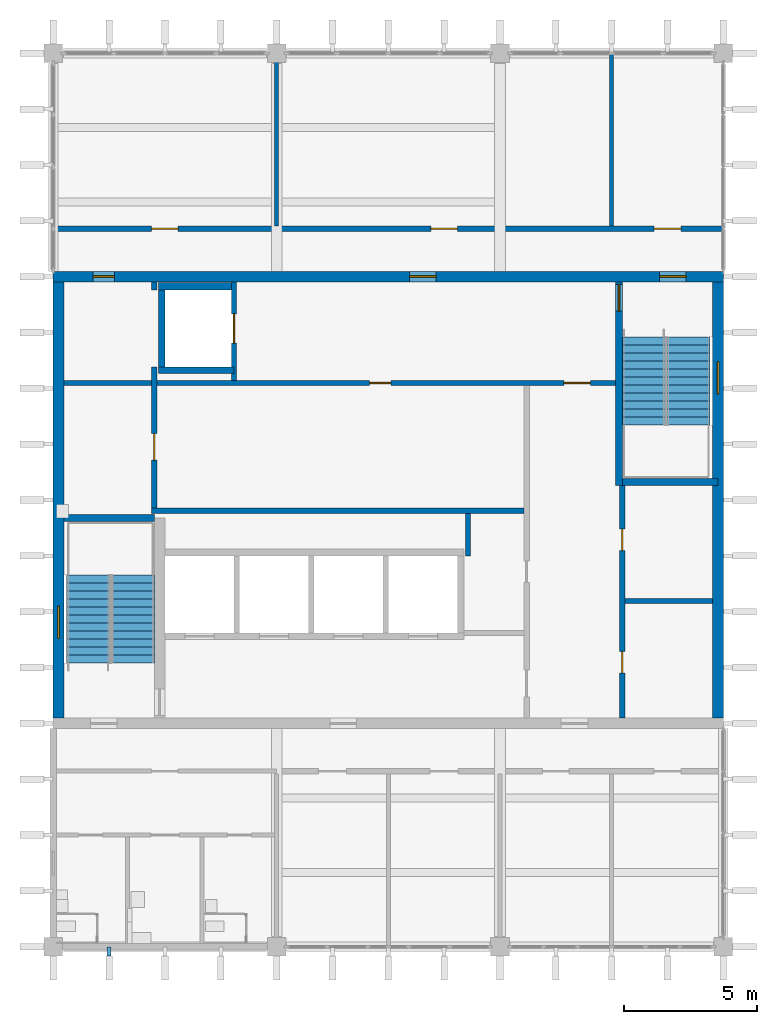
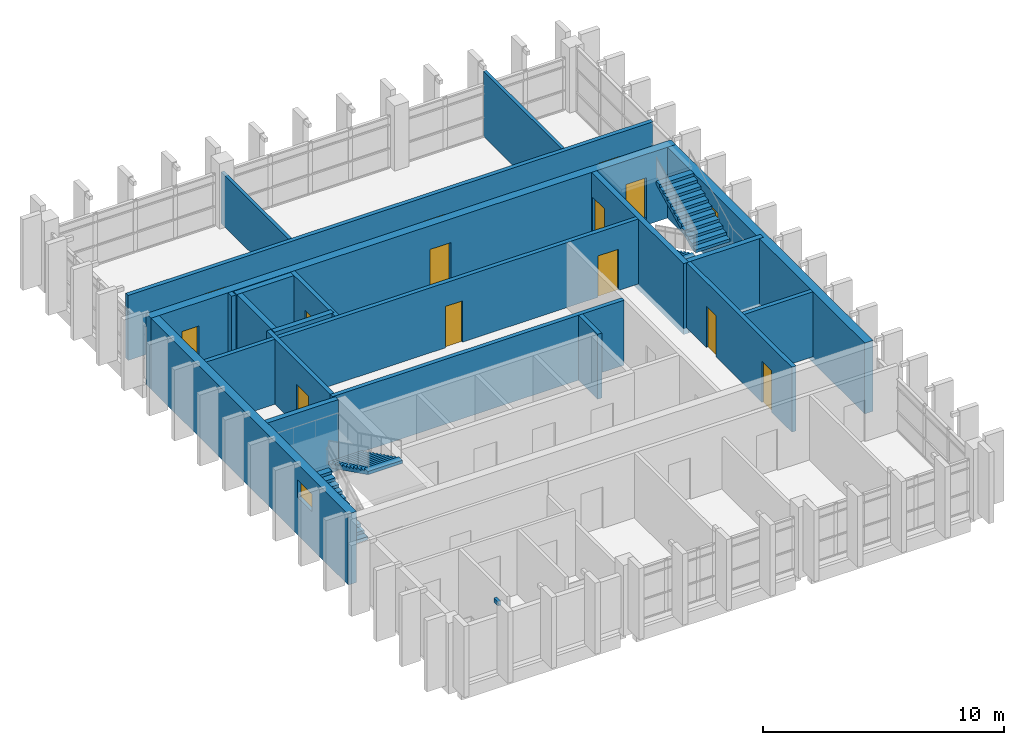
# One storey, part 8 of 11: 20 walls, 13 doors, 4 stair flights, 2 windows, 1 discrete accessory, 15 openings, 2 elements without a shape of their own.
"""IFC4 building model written with IfcOpenShell, lengths in metres."""

from ifc_helpers import new_model, si_unit, direction, frame, frame_2d, origin, origin_2d, place, context, subcontext, project, spatial, polyline, rectangle, outline, extrude, material, layer, layer_set, type_object, element, fill, aggregate, save


model = new_model("IFC4")

# Units and contexts
model_context = context("Model", 3, precision=1e-05, world=origin(), true_north=direction((0.0, 1.0)))
body_context = subcontext(model_context, "Body", "Model", "MODEL_VIEW")
ifc_project = project(units=[si_unit("LENGTHUNIT", "METRE"), si_unit("AREAUNIT", "SQUARE_METRE"), si_unit("VOLUMEUNIT", "CUBIC_METRE"), si_unit("PLANEANGLEUNIT", "RADIAN"), si_unit("MASSUNIT", "GRAM", prefix="KILO")], contexts=[model_context])

# Site, building, storey
site_placement = place(None, origin())
site = spatial("IfcSite", under=ifc_project, at=site_placement, CompositionType="ELEMENT")
building_placement = place(site_placement, origin())
building = spatial("IfcBuilding", under=site, at=building_placement, Name="Rulbaag Community and Learning Centre", CompositionType="ELEMENT")
storey_placement = place(building_placement, frame((0.0, 0.0, 50.39990234375)))
storey = spatial("IfcBuildingStorey", under=building, at=storey_placement, Name="L13", CompositionType="ELEMENT", Elevation=50.39990234375)

# Walls
ifc_material_1 = material(Name="Concrete blockwork", Category="masonry")
ifc_layer_1 = layer(ifc_material_1, 0.199951171875)
ifc_layer_set_1 = layer_set([ifc_layer_1], Name="FW-200 FIRE WALL 200")
wall_type_1 = type_object("IfcWallType", Name="FW-200 FIRE WALL 200", PredefinedType="SOLIDWALL", material=ifc_layer_set_1)
wall_1_placement = place(storey_placement, frame((164.300048828125, 97.0, 0.0), z_axis=(0.0, 0.0, 1.0), x_axis=(1.0, 0.0, 0.0)))
element("IfcWall", 1, at=wall_1_placement, inside=storey, type_object=wall_type_1, Name="Fire wall L13 6", PredefinedType="SOLIDWALL", context=body_context, shape_type="SweptSolid", body=[
    extrude(rectangle(XDim=3.300048828125, YDim=0.199951171875, at=frame_2d((1.64990234375, 0.0))), origin(), (0.0, 0.0, 1.0), 3.300048828125),
])
wall_2_placement = place(storey_placement, frame((146.5, 100.39990234375, 0.0), z_axis=(0.0, 0.0, 1.0), x_axis=(1.0, 0.0, 0.0)))
element("IfcWall", 2, at=wall_2_placement, inside=storey, type_object=wall_type_1, Name="Fire wall L13 8", PredefinedType="SOLIDWALL", context=body_context, shape_type="SweptSolid", body=[
    extrude(rectangle(XDim=14.0, YDim=0.199951171875, at=frame_2d((7.0, 0.0))), origin(), (0.0, 0.0, 1.0), 3.300048828125),
])

# Wall, openings, doors
wall_3_placement = place(storey_placement, frame((143.199951171875, 105.199951171875, 0.0), z_axis=(0.0, 0.0, 1.0), x_axis=(1.0, 0.0, 0.0)))
wall_3 = element("IfcWall", 3, at=wall_3_placement, inside=storey, type_object=wall_type_1, Name="Fire wall L13 9", PredefinedType="SOLIDWALL", context=body_context, shape_type="SweptSolid", body=[
    extrude(rectangle(XDim=20.75, YDim=0.199951171875, at=frame_2d((10.375, 0.0))), origin(), (0.0, 0.0, 1.0), 3.300048828125),
])
opening_1_placement = place(wall_3_placement, frame((11.5, 0.0, 0.0)))
opening_1 = element("IfcOpeningElement", 4, at=opening_1_placement, cuts=wall_3, Name="Opening L13-D018", PredefinedType="OPENING", context=body_context, shape_type="SweptSolid", body=[
    extrude(rectangle(XDim=0.800048828125, YDim=2.10009765625, at=frame_2d((0.39990234375, 1.050048828125))), frame((0.0, 0.10986328125, 0.0), z_axis=(0.0, -1.0, 0.0), x_axis=(1.0, 0.0, 0.0)), (0.0, 0.0, 1.0), 0.219970703125),
])
opening_2_placement = place(wall_3_placement, frame((18.800048828125, 0.0, 0.0)))
opening_2 = element("IfcOpeningElement", 5, at=opening_2_placement, cuts=wall_3, Name="Opening L13-D027", PredefinedType="OPENING", context=body_context, shape_type="SweptSolid", body=[
    extrude(rectangle(XDim=1.0, YDim=2.10009765625, at=frame_2d((0.5, 1.050048828125))), frame((0.0, 0.10986328125, 0.0), z_axis=(0.0, -1.0, 0.0), x_axis=(1.0, 0.0, 0.0)), (0.0, 0.0, 1.0), 0.219970703125),
])
ifc_material_2 = material(Name="Galvanised steel", Category="steel")
door_type_1 = type_object("IfcDoorType", Name="FD-1000 FIRE DOOR 1000 x 2100", OperationType="SINGLE_SWING_LEFT", PredefinedType="DOOR", material=ifc_material_2)
door_1_placement = place(opening_2_placement, origin())
door_1 = element("IfcDoor", 6, at=door_1_placement, inside=storey, type_object=door_type_1, Name="Door L13-D027", OperationType="SINGLE_SWING_LEFT", OverallHeight=2.10009765625, OverallWidth=1.0, PredefinedType="DOOR", context=body_context, shape_type="SweptSolid", body=[
    extrude(rectangle(XDim=1.0, YDim=2.10009765625, at=frame_2d((0.5, 1.050048828125))), frame((0.0, 0.02490234375, 0.0), z_axis=(0.0, -1.0, 0.0), x_axis=(1.0, 0.0, 0.0)), (0.0, 0.0, 1.0), 0.050048828125),
])
fill(opening_2, door_1)
door_type_2 = type_object("IfcDoorType", Name="FDR-800 RISER FIRE DOOR 800 x 2100", OperationType="SINGLE_SWING_LEFT", PredefinedType="DOOR", material=ifc_material_2)
door_2_placement = place(opening_1_placement, origin())
door_2 = element("IfcDoor", 7, at=door_2_placement, inside=storey, type_object=door_type_2, Name="Riser door L13-D023", OperationType="SINGLE_SWING_RIGHT", OverallHeight=2.10009765625, OverallWidth=0.800048828125, PredefinedType="DOOR", context=body_context, shape_type="SweptSolid", body=[
    extrude(rectangle(XDim=0.800048828125, YDim=2.10009765625, at=frame_2d((0.39990234375, 1.050048828125))), frame((0.0, 0.02490234375, 0.0), z_axis=(0.0, -1.0, 0.0), x_axis=(1.0, 0.0, 0.0)), (0.0, 0.0, 1.0), 0.050048828125),
])
fill(opening_1, door_2)

wall_4_placement = place(storey_placement, frame((142.800048828125, 111.0, 0.0), z_axis=(0.0, 0.0, 1.0), x_axis=(1.0, 0.0, 0.0)))
wall_4 = element("IfcWall", 8, at=wall_4_placement, inside=storey, type_object=wall_type_1, Name="Fire wall L13 10", PredefinedType="SOLIDWALL", context=body_context, shape_type="SweptSolid", body=[
    extrude(rectangle(XDim=25.199951171875, YDim=0.199951171875, at=frame_2d((12.60009765625, 0.0))), origin(), (0.0, 0.0, 1.0), 3.300048828125),
])
opening_3_placement = place(wall_4_placement, frame((3.699951171875, 0.0, 0.0)))
opening_3 = element("IfcOpeningElement", 9, at=opening_3_placement, cuts=wall_4, Name="Opening L13-D009", PredefinedType="OPENING", context=body_context, shape_type="SweptSolid", body=[
    extrude(rectangle(XDim=1.0, YDim=2.10009765625, at=frame_2d((0.5, 1.050048828125))), frame((0.0, 0.10986328125, 0.0), z_axis=(0.0, -1.0, 0.0), x_axis=(1.0, 0.0, 0.0)), (0.0, 0.0, 1.0), 0.219970703125),
])
opening_4_placement = place(wall_4_placement, frame((14.199951171875, 0.0, 0.0)))
opening_4 = element("IfcOpeningElement", 10, at=opening_4_placement, cuts=wall_4, Name="Opening L13-D022", PredefinedType="OPENING", context=body_context, shape_type="SweptSolid", body=[
    extrude(rectangle(XDim=1.0, YDim=2.10009765625, at=frame_2d((0.5, 1.050048828125))), frame((0.0, 0.10986328125, 0.0), z_axis=(0.0, -1.0, 0.0), x_axis=(1.0, 0.0, 0.0)), (0.0, 0.0, 1.0), 0.219970703125),
])
opening_5_placement = place(wall_4_placement, frame((22.60009765625, 0.0, 0.0)))
opening_5 = element("IfcOpeningElement", 11, at=opening_5_placement, cuts=wall_4, Name="Opening L13-D032", PredefinedType="OPENING", context=body_context, shape_type="SweptSolid", body=[
    extrude(rectangle(XDim=1.0, YDim=2.10009765625, at=frame_2d((0.5, 1.050048828125))), frame((0.0, 0.10986328125, 0.0), z_axis=(0.0, -1.0, 0.0), x_axis=(1.0, 0.0, 0.0)), (0.0, 0.0, 1.0), 0.219970703125),
])
door_3_placement = place(opening_3_placement, origin())
door_3 = element("IfcDoor", 12, at=door_3_placement, inside=storey, type_object=door_type_1, Name="Door L13-D009", OperationType="SINGLE_SWING_RIGHT", OverallHeight=2.10009765625, OverallWidth=1.0, PredefinedType="DOOR", context=body_context, shape_type="SweptSolid", body=[
    extrude(rectangle(XDim=1.0, YDim=2.10009765625, at=frame_2d((0.5, 1.050048828125))), frame((0.0, 0.02490234375, 0.0), z_axis=(0.0, -1.0, 0.0), x_axis=(1.0, 0.0, 0.0)), (0.0, 0.0, 1.0), 0.050048828125),
])
fill(opening_3, door_3)
door_4_placement = place(opening_4_placement, origin())
door_4 = element("IfcDoor", 13, at=door_4_placement, inside=storey, type_object=door_type_1, Name="Door L13-D022", OperationType="SINGLE_SWING_LEFT", OverallHeight=2.10009765625, OverallWidth=1.0, PredefinedType="DOOR", context=body_context, shape_type="SweptSolid", body=[
    extrude(rectangle(XDim=1.0, YDim=2.10009765625, at=frame_2d((0.5, 1.050048828125))), frame((0.0, 0.02490234375, 0.0), z_axis=(0.0, -1.0, 0.0), x_axis=(1.0, 0.0, 0.0)), (0.0, 0.0, 1.0), 0.050048828125),
])
fill(opening_4, door_4)
door_5_placement = place(opening_5_placement, origin())
door_5 = element("IfcDoor", 14, at=door_5_placement, inside=storey, type_object=door_type_1, Name="Door L13-D032", OperationType="SINGLE_SWING_LEFT", OverallHeight=2.10009765625, OverallWidth=1.0, PredefinedType="DOOR", context=body_context, shape_type="SweptSolid", body=[
    extrude(rectangle(XDim=1.0, YDim=2.10009765625, at=frame_2d((0.5, 1.050048828125))), frame((0.0, 0.02490234375, 0.0), z_axis=(0.0, -1.0, 0.0), x_axis=(1.0, 0.0, 0.0)), (0.0, 0.0, 1.0), 0.050048828125),
])
fill(opening_5, door_5)

# Wall, opening, door
wall_5_placement = place(storey_placement, frame((146.60009765625, 100.5, 0.0), z_axis=(0.0, 0.0, 1.0), x_axis=(0.0, 1.0, 0.0)))
wall_5 = element("IfcWall", 15, at=wall_5_placement, inside=storey, type_object=wall_type_1, Name="Fire wall L13 12", PredefinedType="SOLIDWALL", context=body_context, shape_type="SweptSolid", body=[
    extrude(rectangle(XDim=5.300048828125, YDim=0.199951171875, at=frame_2d((2.64990234375, 0.0))), origin(), (0.0, 0.0, 1.0), 3.300048828125),
])
opening_6_placement = place(wall_5_placement, frame((1.800048828125, 0.0, 0.0)))
opening_6 = element("IfcOpeningElement", 16, at=opening_6_placement, cuts=wall_5, Name="Opening L13-D005", PredefinedType="OPENING", context=body_context, shape_type="SweptSolid", body=[
    extrude(rectangle(XDim=1.0, YDim=2.10009765625, at=frame_2d((0.5, 1.050048828125))), frame((0.0, 0.10986328125, 0.0), z_axis=(0.0, -1.0, 0.0), x_axis=(1.0, 0.0, 0.0)), (0.0, 0.0, 1.0), 0.219970703125),
])
door_6_placement = place(opening_6_placement, origin())
door_6 = element("IfcDoor", 17, at=door_6_placement, inside=storey, type_object=door_type_1, Name="Door L13-D005", OperationType="SINGLE_SWING_LEFT", OverallHeight=2.10009765625, OverallWidth=1.0, PredefinedType="DOOR", context=body_context, shape_type="SweptSolid", body=[
    extrude(rectangle(XDim=1.0, YDim=2.10009765625, at=frame_2d((0.5, 1.050048828125))), frame((0.0, 0.02490234375, 0.0), z_axis=(0.0, -1.0, 0.0), x_axis=(1.0, 0.0, 0.0)), (0.0, 0.0, 1.0), 0.050048828125),
])
fill(opening_6, door_6)

# Wall
wall_6_placement = place(storey_placement, frame((146.60009765625, 108.699951171875, 0.0), z_axis=(0.0, 0.0, 1.0), x_axis=(0.0, 1.0, 0.0)))
element("IfcWall", 18, at=wall_6_placement, inside=storey, type_object=wall_type_1, Name="Fire wall L13 13", PredefinedType="SOLIDWALL", context=body_context, shape_type="SweptSolid", body=[
    extrude(rectangle(XDim=0.300048828125, YDim=0.199951171875, at=frame_2d((0.14990234375, 0.0))), origin(), (0.0, 0.0, 1.0), 3.300048828125),
])

# Wall, opening, door
wall_7_placement = place(storey_placement, frame((149.60009765625, 105.300048828125, 0.0), z_axis=(0.0, 0.0, 1.0), x_axis=(0.0, 1.0, 0.0)))
wall_7 = element("IfcWall", 19, at=wall_7_placement, inside=storey, type_object=wall_type_1, Name="Fire wall L13 15", PredefinedType="SOLIDWALL", context=body_context, shape_type="SweptSolid", body=[
    extrude(rectangle(XDim=3.699951171875, YDim=0.199951171875, at=frame_2d((1.85009765625, 0.0))), origin(), (0.0, 0.0, 1.0), 3.300048828125),
])
opening_7_placement = place(wall_7_placement, frame((1.39990234375, 0.0, 0.0)))
opening_7 = element("IfcOpeningElement", 20, at=opening_7_placement, cuts=wall_7, Name="Opening L13-D011", PredefinedType="OPENING", context=body_context, shape_type="SweptSolid", body=[
    extrude(rectangle(XDim=1.10009765625, YDim=2.10009765625, at=frame_2d((0.550048828125, 1.050048828125))), frame((0.0, 0.10986328125, 0.0), z_axis=(0.0, -1.0, 0.0), x_axis=(1.0, 0.0, 0.0)), (0.0, 0.0, 1.0), 0.219970703125),
])
ifc_material_3 = material(Name="Stainless steel grade 304", Category="steel")
door_type_3 = type_object("IfcDoorType", Name="LD-1100 LIFT LANDING DOOR 1100 x 2100", OperationType="SLIDING_TO_LEFT", PredefinedType="DOOR", material=ifc_material_3)
door_7_placement = place(opening_7_placement, origin())
door_7 = element("IfcDoor", 21, at=door_7_placement, inside=storey, type_object=door_type_3, Name="Lift landing door LF1 L13", OperationType="SLIDING_TO_LEFT", OverallHeight=2.10009765625, OverallWidth=1.10009765625, PredefinedType="DOOR", context=body_context, shape_type="SweptSolid", body=[
    extrude(rectangle(XDim=1.10009765625, YDim=2.10009765625, at=frame_2d((0.550048828125, 1.050048828125))), frame((0.0, 0.02490234375, 0.0), z_axis=(0.0, -1.0, 0.0), x_axis=(1.0, 0.0, 0.0)), (0.0, 0.0, 1.0), 0.050048828125),
])
fill(opening_7, door_7)

# Wall
wall_8_placement = place(storey_placement, frame((158.39990234375, 98.699951171875, 0.0), z_axis=(0.0, 0.0, 1.0), x_axis=(0.0, 1.0, 0.0)))
element("IfcWall", 22, at=wall_8_placement, inside=storey, type_object=wall_type_1, Name="Fire wall L13 19", PredefinedType="SOLIDWALL", context=body_context, shape_type="SweptSolid", body=[
    extrude(rectangle(XDim=1.60009765625, YDim=0.199951171875, at=frame_2d((0.800048828125, 0.0))), origin(), (0.0, 0.0, 1.0), 3.300048828125),
])

# Wall, openings, doors
wall_9_placement = place(storey_placement, frame((164.199951171875, 92.60009765625, 0.0), z_axis=(0.0, 0.0, 1.0), x_axis=(0.0, 1.0, 0.0)))
wall_9 = element("IfcWall", 23, at=wall_9_placement, inside=storey, type_object=wall_type_1, Name="Fire wall L13 24", PredefinedType="SOLIDWALL", context=body_context, shape_type="SweptSolid", body=[
    extrude(rectangle(XDim=8.75, YDim=0.199951171875, at=frame_2d((4.375, 0.0))), origin(), (0.0, 0.0, 1.0), 3.300048828125),
])
opening_8_placement = place(wall_9_placement, frame((1.699951171875, 0.0, 0.0)))
opening_8 = element("IfcOpeningElement", 24, at=opening_8_placement, cuts=wall_9, Name="Opening L13-D029", PredefinedType="OPENING", context=body_context, shape_type="SweptSolid", body=[
    extrude(rectangle(XDim=0.800048828125, YDim=2.10009765625, at=frame_2d((0.39990234375, 1.050048828125))), frame((0.0, 0.10986328125, 0.0), z_axis=(0.0, -1.0, 0.0), x_axis=(1.0, 0.0, 0.0)), (0.0, 0.0, 1.0), 0.219970703125),
])
opening_9_placement = place(wall_9_placement, frame((6.300048828125, 0.0, 0.0)))
opening_9 = element("IfcOpeningElement", 25, at=opening_9_placement, cuts=wall_9, Name="Opening L13-D030", PredefinedType="OPENING", context=body_context, shape_type="SweptSolid", body=[
    extrude(rectangle(XDim=0.800048828125, YDim=2.10009765625, at=frame_2d((0.39990234375, 1.050048828125))), frame((0.0, 0.10986328125, 0.0), z_axis=(0.0, -1.0, 0.0), x_axis=(1.0, 0.0, 0.0)), (0.0, 0.0, 1.0), 0.219970703125),
])
door_8_placement = place(opening_8_placement, origin())
door_8 = element("IfcDoor", 26, at=door_8_placement, inside=storey, type_object=door_type_2, Name="Riser door L13-D020", OperationType="SINGLE_SWING_LEFT", OverallHeight=2.10009765625, OverallWidth=0.800048828125, PredefinedType="DOOR", context=body_context, shape_type="SweptSolid", body=[
    extrude(rectangle(XDim=0.800048828125, YDim=2.10009765625, at=frame_2d((0.39990234375, 1.050048828125))), frame((0.0, 0.02490234375, 0.0), z_axis=(0.0, -1.0, 0.0), x_axis=(1.0, 0.0, 0.0)), (0.0, 0.0, 1.0), 0.050048828125),
])
fill(opening_8, door_8)
door_9_placement = place(opening_9_placement, origin())
door_9 = element("IfcDoor", 27, at=door_9_placement, inside=storey, type_object=door_type_2, Name="Riser door L13-D021", OperationType="SINGLE_SWING_RIGHT", OverallHeight=2.10009765625, OverallWidth=0.800048828125, PredefinedType="DOOR", context=body_context, shape_type="SweptSolid", body=[
    extrude(rectangle(XDim=0.800048828125, YDim=2.10009765625, at=frame_2d((0.39990234375, 1.050048828125))), frame((0.0, 0.02490234375, 0.0), z_axis=(0.0, -1.0, 0.0), x_axis=(1.0, 0.0, 0.0)), (0.0, 0.0, 1.0), 0.050048828125),
])
fill(opening_9, door_9)

# Walls
ifc_layer_2 = layer(ifc_material_1, 0.14990234375)
ifc_layer_set_2 = layer_set([ifc_layer_2], Name="IP-150 PARTITION 150")
wall_type_2 = type_object("IfcWallType", Name="IP-150 PARTITION 150", PredefinedType="PARTITIONING", material=ifc_layer_set_2)
wall_10_placement = place(storey_placement, frame((151.199951171875, 111.10009765625, 0.0), z_axis=(0.0, 0.0, 1.0), x_axis=(0.0, 1.0, 0.0)))
element("IfcWall", 28, at=wall_10_placement, inside=storey, type_object=wall_type_2, Name="Partition L13 17", PredefinedType="PARTITIONING", context=body_context, shape_type="SweptSolid", body=[
    extrude(rectangle(XDim=6.5, YDim=0.14990234375, at=frame_2d((3.25, 0.0))), origin(), (0.0, 0.0, 1.0), 2.60009765625),
])
wall_11_placement = place(storey_placement, frame((163.800048828125, 111.10009765625, 0.0), z_axis=(0.0, 0.0, 1.0), x_axis=(0.0, 1.0, 0.0)))
element("IfcWall", 29, at=wall_11_placement, inside=storey, type_object=wall_type_2, Name="Partition L13 23", PredefinedType="PARTITIONING", context=body_context, shape_type="SweptSolid", body=[
    extrude(rectangle(XDim=6.5, YDim=0.14990234375, at=frame_2d((3.25, 0.0))), origin(), (0.0, 0.0, 1.0), 3.300048828125),
])
ifc_material_4 = material(Name="Concrete M40", Category="concrete")
ifc_layer_3 = layer(ifc_material_4, 0.27490234375)
ifc_layer_set_3 = layer_set([ifc_layer_3], Name="W16 Shaft wall 275 Concrete M40")
wall_type_3 = type_object("IfcWallType", Name="W16 Shaft wall 275 Concrete M40", PredefinedType="SHEAR", material=ifc_layer_set_3)
wall_12_placement = place(storey_placement, frame((146.75, 108.83740234375, -0.2998046875), z_axis=(0.0, 0.0, 1.0), x_axis=(1.0, 0.0, 0.0)))
element("IfcWall", 30, at=wall_12_placement, inside=storey, type_object=wall_type_3, Name="WL-LF-N-L13", PredefinedType="SHEAR", context=body_context, shape_type="SweptSolid", body=[
    extrude(rectangle(XDim=2.85009765625, YDim=0.27490234375, at=frame_2d((1.425048828125, 0.0))), origin(), (0.0, 0.0, 1.0), 3.599853515625),
])

# Wall, openings, doors
ifc_material_5 = material(Name="Concrete M60", Category="concrete")
ifc_layer_4 = layer(ifc_material_5, 0.39990234375)
ifc_layer_set_4 = layer_set([ifc_layer_4], Name="W2 Core wall 400 Concrete M60")
wall_type_4 = type_object("IfcWallType", Name="W2 Core wall 400 Concrete M60", PredefinedType="SHEAR", material=ifc_layer_set_4)
wall_13_placement = place(storey_placement, frame((142.800048828125, 109.199951171875, -0.2998046875), z_axis=(0.0, 0.0, 1.0), x_axis=(1.0, 0.0, 0.0)))
wall_13 = element("IfcWall", 31, at=wall_13_placement, inside=storey, type_object=wall_type_4, Name="WL-CORE-N-L13", PredefinedType="SHEAR", context=body_context, shape_type="SweptSolid", body=[
    extrude(rectangle(XDim=25.199951171875, YDim=0.39990234375, at=frame_2d((12.60009765625, 0.0))), origin(), (0.0, 0.0, 1.0), 3.599853515625),
])
opening_10_placement = place(wall_13_placement, frame((22.800048828125, 0.0, 0.300048828125)))
opening_10 = element("IfcOpeningElement", 32, at=opening_10_placement, cuts=wall_13, Name="Opening L13-D033", PredefinedType="OPENING", context=body_context, shape_type="SweptSolid", body=[
    extrude(rectangle(XDim=1.0, YDim=2.10009765625, at=frame_2d((0.5, 1.050048828125))), frame((0.0, 0.2099609375, 0.0), z_axis=(0.0, -1.0, 0.0), x_axis=(1.0, 0.0, 0.0)), (0.0, 0.0, 1.0), 0.419921875),
])
opening_11_placement = place(wall_13_placement, frame((1.5, 0.0, 0.300048828125)))
opening_11 = element("IfcOpeningElement", 33, at=opening_11_placement, cuts=wall_13, Name="Opening L13-D004", PredefinedType="OPENING", context=body_context, shape_type="SweptSolid", body=[
    extrude(rectangle(XDim=0.800048828125, YDim=2.10009765625, at=frame_2d((0.39990234375, 1.050048828125))), frame((0.0, 0.2099609375, 0.0), z_axis=(0.0, -1.0, 0.0), x_axis=(1.0, 0.0, 0.0)), (0.0, 0.0, 1.0), 0.419921875),
])
opening_12_placement = place(wall_13_placement, frame((13.39990234375, 0.0, 0.300048828125)))
opening_12 = element("IfcOpeningElement", 34, at=opening_12_placement, cuts=wall_13, Name="Opening L13-D020", PredefinedType="OPENING", context=body_context, shape_type="SweptSolid", body=[
    extrude(rectangle(XDim=1.0, YDim=2.10009765625, at=frame_2d((0.5, 1.050048828125))), frame((0.0, 0.2099609375, 0.0), z_axis=(0.0, -1.0, 0.0), x_axis=(1.0, 0.0, 0.0)), (0.0, 0.0, 1.0), 0.419921875),
])
door_10_placement = place(opening_10_placement, origin())
door_10 = element("IfcDoor", 35, at=door_10_placement, inside=storey, type_object=door_type_1, Name="Door L13-D033", OperationType="SINGLE_SWING_LEFT", OverallHeight=2.10009765625, OverallWidth=1.0, PredefinedType="DOOR", context=body_context, shape_type="SweptSolid", body=[
    extrude(rectangle(XDim=1.0, YDim=2.10009765625, at=frame_2d((0.5, 1.050048828125))), frame((0.0, 0.02490234375, 0.0), z_axis=(0.0, -1.0, 0.0), x_axis=(1.0, 0.0, 0.0)), (0.0, 0.0, 1.0), 0.050048828125),
])
fill(opening_10, door_10)
door_11_placement = place(opening_12_placement, origin())
door_11 = element("IfcDoor", 36, at=door_11_placement, inside=storey, type_object=door_type_1, Name="Door L13-D020", OperationType="SINGLE_SWING_LEFT", OverallHeight=2.10009765625, OverallWidth=1.0, PredefinedType="DOOR", context=body_context, shape_type="SweptSolid", body=[
    extrude(rectangle(XDim=1.0, YDim=2.10009765625, at=frame_2d((0.5, 1.050048828125))), frame((0.0, 0.02490234375, 0.0), z_axis=(0.0, -1.0, 0.0), x_axis=(1.0, 0.0, 0.0)), (0.0, 0.0, 1.0), 0.050048828125),
])
fill(opening_12, door_11)
door_12_placement = place(opening_11_placement, origin())
door_12 = element("IfcDoor", 37, at=door_12_placement, inside=storey, type_object=door_type_2, Name="Riser door L13-D025", OperationType="SINGLE_SWING_LEFT", OverallHeight=2.10009765625, OverallWidth=0.800048828125, PredefinedType="DOOR", context=body_context, shape_type="SweptSolid", body=[
    extrude(rectangle(XDim=0.800048828125, YDim=2.10009765625, at=frame_2d((0.39990234375, 1.050048828125))), frame((0.0, 0.02490234375, 0.0), z_axis=(0.0, -1.0, 0.0), x_axis=(1.0, 0.0, 0.0)), (0.0, 0.0, 1.0), 0.050048828125),
])
fill(opening_11, door_12)

# Wall, opening, window
wall_14_placement = place(storey_placement, frame((143.0, 92.60009765625, -0.2998046875), z_axis=(0.0, 0.0, 1.0), x_axis=(0.0, 1.0, 0.0)))
wall_14 = element("IfcWall", 38, at=wall_14_placement, inside=storey, type_object=wall_type_4, Name="WL-CORE-W-L13", PredefinedType="SHEAR", context=body_context, shape_type="SweptSolid", body=[
    extrude(rectangle(XDim=16.39990234375, YDim=0.39990234375, at=frame_2d((8.199951171875, 0.0))), origin(), (0.0, 0.0, 1.0), 3.599853515625),
])
opening_13_placement = place(wall_14_placement, frame((3.0, 0.0, 1.89990234375)))
opening_13 = element("IfcOpeningElement", 39, at=opening_13_placement, cuts=wall_14, Name="Opening WN19", PredefinedType="OPENING", context=body_context, shape_type="SweptSolid", body=[
    extrude(rectangle(XDim=1.199951171875, YDim=0.89990234375, at=frame_2d((0.60009765625, 0.449951171875))), frame((0.0, 0.2099609375, 0.0), z_axis=(0.0, -1.0, 0.0), x_axis=(1.0, 0.0, 0.0)), (0.0, 0.0, 1.0), 0.419921875),
])
ifc_material_6 = material(Name="Aluminium", Category="aluminium")
window_type = type_object("IfcWindowType", Name="WS-12", PartitioningType="SINGLE_PANEL", PredefinedType="WINDOW", material=ifc_material_6)
window_1_placement = place(opening_13_placement, origin())
window_1 = element("IfcWindow", 40, at=window_1_placement, inside=storey, type_object=window_type, Name="Stair window", OverallHeight=0.89990234375, OverallWidth=1.199951171875, PartitioningType="SINGLE_PANEL", PredefinedType="WINDOW", context=body_context, shape_type="SweptSolid", body=[
    extrude(rectangle(XDim=1.199951171875, YDim=0.89990234375, at=frame_2d((0.60009765625, 0.449951171875))), frame((0.0, 0.030029296875, 0.0), z_axis=(0.0, -1.0, 0.0), x_axis=(1.0, 0.0, 0.0)), (0.0, 0.0, 1.0), 0.06005859375),
])
fill(opening_13, window_1)

wall_15_placement = place(storey_placement, frame((167.800048828125, 92.60009765625, -0.2998046875), z_axis=(0.0, 0.0, 1.0), x_axis=(0.0, 1.0, 0.0)))
wall_15 = element("IfcWall", 41, at=wall_15_placement, inside=storey, type_object=wall_type_4, Name="WL-CORE-E-L13", PredefinedType="SHEAR", context=body_context, shape_type="SweptSolid", body=[
    extrude(rectangle(XDim=16.39990234375, YDim=0.39990234375, at=frame_2d((8.199951171875, 0.0))), origin(), (0.0, 0.0, 1.0), 3.599853515625),
])
opening_14_placement = place(wall_15_placement, frame((12.199951171875, 0.0, 1.89990234375)))
opening_14 = element("IfcOpeningElement", 42, at=opening_14_placement, cuts=wall_15, Name="Opening WN19", PredefinedType="OPENING", context=body_context, shape_type="SweptSolid", body=[
    extrude(rectangle(XDim=1.199951171875, YDim=0.89990234375, at=frame_2d((0.60009765625, 0.449951171875))), frame((0.0, 0.2099609375, 0.0), z_axis=(0.0, -1.0, 0.0), x_axis=(1.0, 0.0, 0.0)), (0.0, 0.0, 1.0), 0.419921875),
])
window_2_placement = place(opening_14_placement, origin())
window_2 = element("IfcWindow", 43, at=window_2_placement, inside=storey, type_object=window_type, Name="Stair window", OverallHeight=0.89990234375, OverallWidth=1.199951171875, PartitioningType="SINGLE_PANEL", PredefinedType="WINDOW", context=body_context, shape_type="SweptSolid", body=[
    extrude(rectangle(XDim=1.199951171875, YDim=0.89990234375, at=frame_2d((0.60009765625, 0.449951171875))), frame((0.0, 0.030029296875, 0.0), z_axis=(0.0, -1.0, 0.0), x_axis=(1.0, 0.0, 0.0)), (0.0, 0.0, 1.0), 0.06005859375),
])
fill(opening_14, window_2)

# Wall
ifc_layer_5 = layer(ifc_material_4, 0.25)
ifc_layer_set_5 = layer_set([ifc_layer_5], Name="W5 Shaft wall 250 Concrete M40")
wall_type_5 = type_object("IfcWallType", Name="W5 Shaft wall 250 Concrete M40", PredefinedType="SHEAR", material=ifc_layer_set_5)
wall_16_placement = place(storey_placement, frame((143.199951171875, 100.125, -0.2998046875), z_axis=(0.0, 0.0, 1.0), x_axis=(1.0, 0.0, 0.0)))
element("IfcWall", 44, at=wall_16_placement, inside=storey, type_object=wall_type_5, Name="WL-ST1-N-L13", PredefinedType="SHEAR", context=body_context, shape_type="SweptSolid", body=[
    extrude(rectangle(XDim=3.400146484375, YDim=0.25, at=frame_2d((1.7001953125, 0.0))), origin(), (0.0, 0.0, 1.0), 3.599853515625),
])

# Wall, opening, door
wall_17_placement = place(storey_placement, frame((164.074951171875, 101.35009765625, -0.2998046875), z_axis=(0.0, 0.0, 1.0), x_axis=(0.0, 1.0, 0.0)))
wall_17 = element("IfcWall", 45, at=wall_17_placement, inside=storey, type_object=wall_type_5, Name="WL-ST2-W-L13", PredefinedType="SHEAR", context=body_context, shape_type="SweptSolid", body=[
    extrude(rectangle(XDim=7.64990234375, YDim=0.25, at=frame_2d((3.824951171875, 0.0))), origin(), (0.0, 0.0, 1.0), 3.599853515625),
])
opening_15_placement = place(wall_17_placement, frame((6.550048828125, 0.0, 0.300048828125)))
opening_15 = element("IfcOpeningElement", 46, at=opening_15_placement, cuts=wall_17, Name="Opening L13-D028", PredefinedType="OPENING", context=body_context, shape_type="SweptSolid", body=[
    extrude(rectangle(XDim=1.0, YDim=2.10009765625, at=frame_2d((0.5, 1.050048828125))), frame((0.0, 0.135009765625, 0.0), z_axis=(0.0, -1.0, 0.0), x_axis=(1.0, 0.0, 0.0)), (0.0, 0.0, 1.0), 0.27001953125),
])
door_13_placement = place(opening_15_placement, origin())
door_13 = element("IfcDoor", 47, at=door_13_placement, inside=storey, type_object=door_type_1, Name="Door L13-D028", OperationType="SINGLE_SWING_LEFT", OverallHeight=2.10009765625, OverallWidth=1.0, PredefinedType="DOOR", context=body_context, shape_type="SweptSolid", body=[
    extrude(rectangle(XDim=1.0, YDim=2.10009765625, at=frame_2d((0.5, 1.050048828125))), frame((0.0, 0.02490234375, 0.0), z_axis=(0.0, -1.0, 0.0), x_axis=(1.0, 0.0, 0.0)), (0.0, 0.0, 1.0), 0.050048828125),
])
fill(opening_15, door_13)

# Walls
wall_18_placement = place(storey_placement, frame((164.199951171875, 101.47509765625, -0.2998046875), z_axis=(0.0, 0.0, 1.0), x_axis=(1.0, 0.0, 0.0)))
element("IfcWall", 48, at=wall_18_placement, inside=storey, type_object=wall_type_5, Name="WL-ST2-S-L13", PredefinedType="SHEAR", context=body_context, shape_type="SweptSolid", body=[
    extrude(rectangle(XDim=3.60009765625, YDim=0.25, at=frame_2d((1.800048828125, 0.0))), origin(), (0.0, 0.0, 1.0), 3.599853515625),
])
wall_19_placement = place(storey_placement, frame((146.75, 105.675048828125, -0.2998046875), z_axis=(0.0, 0.0, 1.0), x_axis=(1.0, 0.0, 0.0)))
element("IfcWall", 49, at=wall_19_placement, inside=storey, type_object=wall_type_5, Name="WL-LF-S-L13", PredefinedType="SHEAR", context=body_context, shape_type="SweptSolid", body=[
    extrude(rectangle(XDim=2.85009765625, YDim=0.25, at=frame_2d((1.425048828125, 0.0))), origin(), (0.0, 0.0, 1.0), 3.599853515625),
])
wall_20_placement = place(storey_placement, frame((146.875, 105.800048828125, -0.2998046875), z_axis=(0.0, 0.0, 1.0), x_axis=(0.0, 1.0, 0.0)))
element("IfcWall", 50, at=wall_20_placement, inside=storey, type_object=wall_type_5, Name="WL-LF-W-L13", PredefinedType="SHEAR", context=body_context, shape_type="SweptSolid", body=[
    extrude(rectangle(XDim=2.89990234375, YDim=0.25, at=frame_2d((1.449951171875, 0.0))), origin(), (0.0, 0.0, 1.0), 3.599853515625),
])

# Stair, stair flights
stair_type = type_object("IfcStairType", Name="ST-1650 STAIR 1650 WIDE", PredefinedType="HALF_TURN_STAIR", material=ifc_material_4)
stair_1_placement = place(storey_placement, origin())
stair_1 = element("IfcStair", 51, at=stair_1_placement, inside=storey, type_object=stair_type, Name="Stair ST1 L13", PredefinedType="HALF_TURN_STAIR")
stair_flight_type = type_object("IfcStairFlightType", Name="FL-1650 FLIGHT 1650 WIDE Concrete M40", PredefinedType="STRAIGHT", material=ifc_material_4)
stair_flight_1_placement = place(storey_placement, frame((144.125, 94.675048828125, 0.0), z_axis=(0.0, 0.0, 1.0), x_axis=(0.0, 1.0, 0.0)))
stair_flight_1 = element("IfcStairFlight", 52, at=stair_flight_1_placement, type_object=stair_flight_type, Name="ST1 flight 1", NumberOfRisers=12, NumberOfTreads=11, PredefinedType="STRAIGHT", RiserHeight=0.15, TreadLength=0.3, context=body_context, shape_type="SweptSolid", body=[
    extrude(outline(polyline([(0.0, 0.0), (0.0, 0.14990234375), (0.300048828125, 0.14990234375), (0.300048828125, 0.300048828125), (0.60009765625, 0.300048828125), (0.60009765625, 0.449951171875), (0.89990234375, 0.449951171875), (0.89990234375, 0.60009765625), (1.199951171875, 0.60009765625), (1.199951171875, 0.75), (1.5, 0.75), (1.5, 0.89990234375), (1.800048828125, 0.89990234375), (1.800048828125, 1.050048828125), (2.10009765625, 1.050048828125), (2.10009765625, 1.199951171875), (2.39990234375, 1.199951171875), (2.39990234375, 1.35009765625), (2.699951171875, 1.35009765625), (2.699951171875, 1.5), (3.0, 1.5), (3.0, 1.64990234375), (3.300048828125, 1.64990234375), (3.300048828125, 1.49365234375), (0.312744140625, 0.0), (0.0, 0.0)])), frame((0.0, 0.824951171875, 0.0), z_axis=(0.0, -1.0, 0.0), x_axis=(1.0, 0.0, 0.0)), (0.0, 0.0, 1.0), 1.64990234375),
])
stair_flight_2_placement = place(storey_placement, frame((145.77490234375, 97.97509765625, 1.800048828125), z_axis=(0.0, 0.0, 1.0), x_axis=(0.0, -1.0, 0.0)))
stair_flight_2 = element("IfcStairFlight", 53, at=stair_flight_2_placement, type_object=stair_flight_type, Name="ST1 flight 2", NumberOfRisers=12, NumberOfTreads=11, PredefinedType="STRAIGHT", RiserHeight=0.15, TreadLength=0.3, context=body_context, shape_type="SweptSolid", body=[
    extrude(outline(polyline([(0.0, 0.0), (0.0, 0.14990234375), (0.300048828125, 0.14990234375), (0.300048828125, 0.300048828125), (0.60009765625, 0.300048828125), (0.60009765625, 0.449951171875), (0.89990234375, 0.449951171875), (0.89990234375, 0.60009765625), (1.199951171875, 0.60009765625), (1.199951171875, 0.75), (1.5, 0.75), (1.5, 0.89990234375), (1.800048828125, 0.89990234375), (1.800048828125, 1.050048828125), (2.10009765625, 1.050048828125), (2.10009765625, 1.199951171875), (2.39990234375, 1.199951171875), (2.39990234375, 1.35009765625), (2.699951171875, 1.35009765625), (2.699951171875, 1.5), (3.0, 1.5), (3.0, 1.64990234375), (3.300048828125, 1.64990234375), (3.300048828125, 1.49365234375), (0.312744140625, 0.0), (0.0, 0.0)])), frame((0.0, 0.824951171875, 0.0), z_axis=(0.0, -1.0, 0.0), x_axis=(1.0, 0.0, 0.0)), (0.0, 0.0, 1.0), 1.64990234375),
])
aggregate(stair_1, [stair_flight_1, stair_flight_2])

stair_2_placement = place(storey_placement, origin())
stair_2 = element("IfcStair", 54, at=stair_2_placement, inside=storey, type_object=stair_type, Name="Stair ST2 L13", PredefinedType="HALF_TURN_STAIR")
stair_flight_3_placement = place(storey_placement, frame((165.02490234375, 106.925048828125, 0.0), z_axis=(0.0, 0.0, 1.0), x_axis=(0.0, -1.0, 0.0)))
stair_flight_3 = element("IfcStairFlight", 55, at=stair_flight_3_placement, type_object=stair_flight_type, Name="ST2 flight 1", NumberOfRisers=12, NumberOfTreads=11, PredefinedType="STRAIGHT", RiserHeight=0.15, TreadLength=0.3, context=body_context, shape_type="SweptSolid", body=[
    extrude(outline(polyline([(0.0, 0.0), (0.0, 0.14990234375), (0.300048828125, 0.14990234375), (0.300048828125, 0.300048828125), (0.60009765625, 0.300048828125), (0.60009765625, 0.449951171875), (0.89990234375, 0.449951171875), (0.89990234375, 0.60009765625), (1.199951171875, 0.60009765625), (1.199951171875, 0.75), (1.5, 0.75), (1.5, 0.89990234375), (1.800048828125, 0.89990234375), (1.800048828125, 1.050048828125), (2.10009765625, 1.050048828125), (2.10009765625, 1.199951171875), (2.39990234375, 1.199951171875), (2.39990234375, 1.35009765625), (2.699951171875, 1.35009765625), (2.699951171875, 1.5), (3.0, 1.5), (3.0, 1.64990234375), (3.300048828125, 1.64990234375), (3.300048828125, 1.49365234375), (0.312744140625, 0.0), (0.0, 0.0)])), frame((0.0, 0.824951171875, 0.0), z_axis=(0.0, -1.0, 0.0), x_axis=(1.0, 0.0, 0.0)), (0.0, 0.0, 1.0), 1.64990234375),
])
stair_flight_4_placement = place(storey_placement, frame((166.675048828125, 103.625, 1.800048828125), z_axis=(0.0, 0.0, 1.0), x_axis=(0.0, 1.0, 0.0)))
stair_flight_4 = element("IfcStairFlight", 56, at=stair_flight_4_placement, type_object=stair_flight_type, Name="ST2 flight 2", NumberOfRisers=12, NumberOfTreads=11, PredefinedType="STRAIGHT", RiserHeight=0.15, TreadLength=0.3, context=body_context, shape_type="SweptSolid", body=[
    extrude(outline(polyline([(0.0, 0.0), (0.0, 0.14990234375), (0.300048828125, 0.14990234375), (0.300048828125, 0.300048828125), (0.60009765625, 0.300048828125), (0.60009765625, 0.449951171875), (0.89990234375, 0.449951171875), (0.89990234375, 0.60009765625), (1.199951171875, 0.60009765625), (1.199951171875, 0.75), (1.5, 0.75), (1.5, 0.89990234375), (1.800048828125, 0.89990234375), (1.800048828125, 1.050048828125), (2.10009765625, 1.050048828125), (2.10009765625, 1.199951171875), (2.39990234375, 1.199951171875), (2.39990234375, 1.35009765625), (2.699951171875, 1.35009765625), (2.699951171875, 1.5), (3.0, 1.5), (3.0, 1.64990234375), (3.300048828125, 1.64990234375), (3.300048828125, 1.49365234375), (0.312744140625, 0.0), (0.0, 0.0)])), frame((0.0, 0.824951171875, 0.0), z_axis=(0.0, -1.0, 0.0), x_axis=(1.0, 0.0, 0.0)), (0.0, 0.0, 1.0), 1.64990234375),
])
aggregate(stair_2, [stair_flight_3, stair_flight_4])

# Discrete accessory
ifc_material_7 = material(Name="Steel E350", Category="steel")
discrete_accessory_type = type_object("IfcDiscreteAccessoryType", Name="BR-FN", PredefinedType="BRACKET", material=ifc_material_7)
discrete_accessory_placement = place(storey_placement, frame((144.89990234375, 83.824951171875, 3.35009765625), z_axis=(0.0, 0.0, 1.0), x_axis=(1.0, 0.0, 0.0)))
element("IfcDiscreteAccessory", 57, at=discrete_accessory_placement, inside=storey, type_object=discrete_accessory_type, Name="Fin arm", PredefinedType="BRACKET", context=body_context, shape_type="SweptSolid", body=[
    extrude(rectangle(XDim=0.14990234375, YDim=0.35009765625, at=origin_2d()), origin(), (0.0, 0.0, 1.0), 0.199951171875),
])

save(model, "model.ifc")
